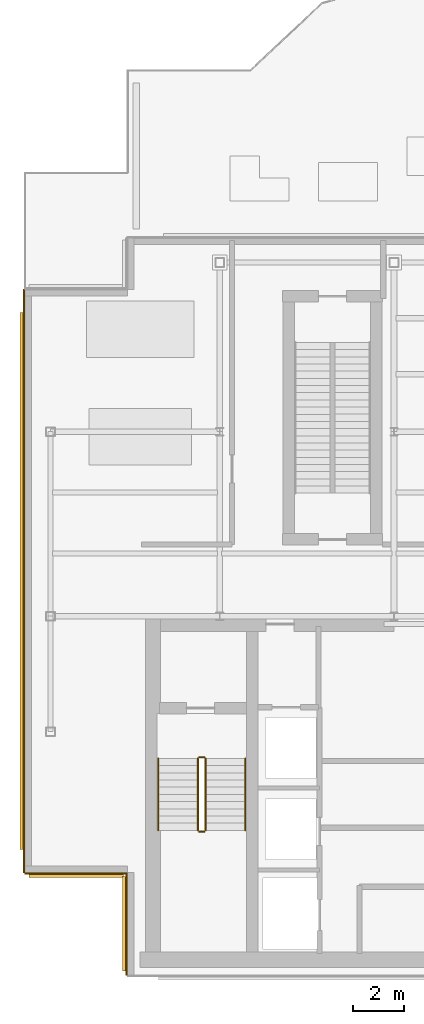
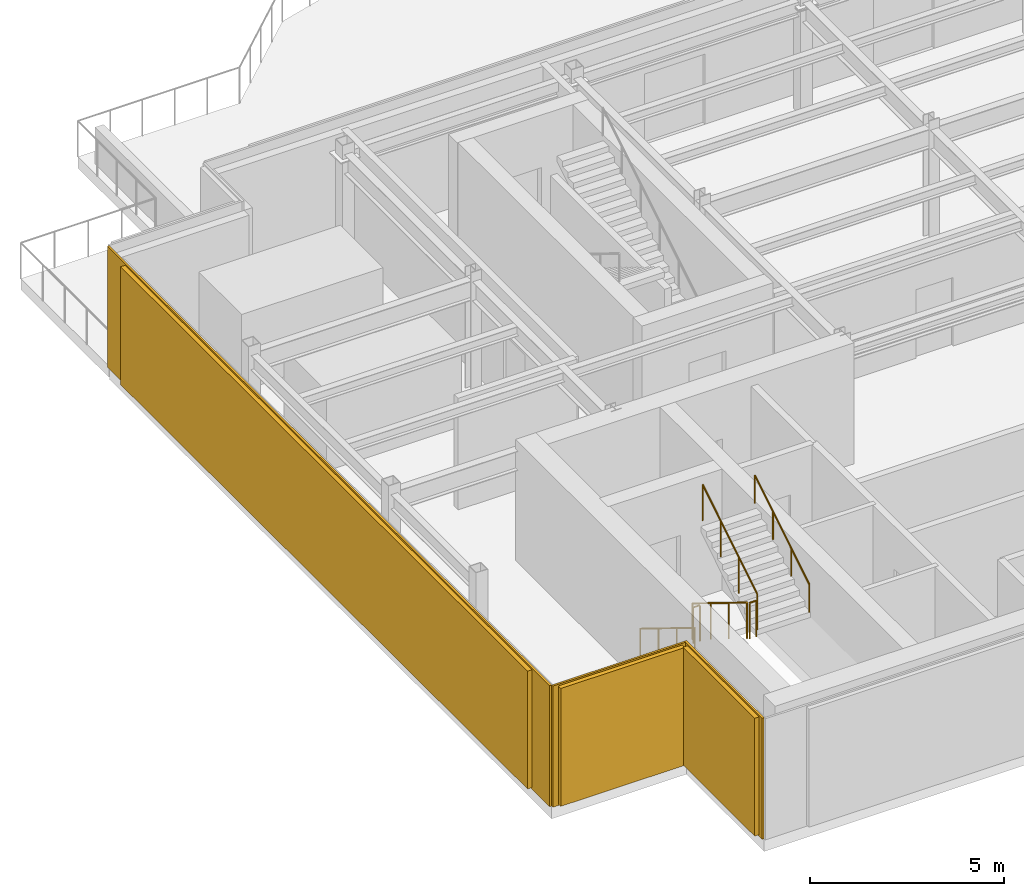
# One storey, part 6 of 9: 6 railings, 3 coverings, 3 shading devices.
"""IFC4 building model written with IfcOpenShell, lengths in metres."""

from ifc_helpers import new_model, si_unit, derived_unit, direction, frame, origin, origin_2d, place, context, subcontext, project, spatial, rectangle, circle, extrude, source, transform, mapped, material, layer, layer_set, type_object, element, save


model = new_model("IFC4")

# Units and contexts
model_context = context("Model", 3, precision=1e-05, world=origin(), true_north=direction((0.0, 1.0)))
body_context = subcontext(model_context, "Body", "Model", "MODEL_VIEW")
ifc_project = project(units=[si_unit("LENGTHUNIT", "METRE"), si_unit("AREAUNIT", "SQUARE_METRE"), si_unit("VOLUMEUNIT", "CUBIC_METRE"), si_unit("PLANEANGLEUNIT", "RADIAN"), si_unit("MASSUNIT", "GRAM", prefix="KILO"), derived_unit("THERMALTRANSMITTANCEUNIT", [(si_unit("POWERUNIT", "WATT"), 1), (si_unit("LENGTHUNIT", "METRE"), -2), (si_unit("THERMODYNAMICTEMPERATUREUNIT", "KELVIN"), -1)])], contexts=[model_context])

# Site, building, storey
site_placement = place(None, origin())
site = spatial("IfcSite", under=ifc_project, at=site_placement, CompositionType="ELEMENT")
building_placement = place(site_placement, origin())
building = spatial("IfcBuilding", under=site, at=building_placement, Name="Skarnbrae Concourse Arena and Tower", CompositionType="ELEMENT")
storey_placement = place(building_placement, frame((0.0, 0.0, 292.25)))
storey = spatial("IfcBuildingStorey", under=building, at=storey_placement, Name="L76", CompositionType="ELEMENT", Elevation=292.25)

# Railings
ifc_material_1 = material(Name="Steel CSA G40.21 350W", Category="steel")
railing_type_1 = type_object("IfcRailingType", Name="RAIL-HANDRAIL-900", PredefinedType="HANDRAIL", material=ifc_material_1)
railing_1_placement = place(storey_placement, frame((5.199951171875, 8.449951171875, 0.172607421875)))
element("IfcRailing", 1, at=railing_1_placement, inside=storey, type_object=railing_type_1, Name="L76 ST-1 stair handrail 1", PredefinedType="HANDRAIL", context=body_context, shape_type="SweptSolid", body=[
    extrude(circle(Radius=0.02392578125, at=origin_2d()), frame((0.0, 0.0, 0.8759765625), z_axis=(0.0, -0.851089632645, 0.525020415988), x_axis=(1.0, 0.0, 0.0)), (0.0, 0.0, 1.0), 3.2900390625),
    extrude(circle(Radius=0.02099609375, at=origin_2d()), origin(), (0.0, 0.0, 1.0), 0.851806640625),
    extrude(circle(Radius=0.02099609375, at=origin_2d()), frame((0.0, -0.933349609375, 0.57568359375)), (0.0, 0.0, 1.0), 0.851806640625),
    extrude(circle(Radius=0.02099609375, at=origin_2d()), frame((0.0, -1.86669921875, 1.151611328125)), (0.0, 0.0, 1.0), 0.851806640625),
    extrude(circle(Radius=0.02099609375, at=origin_2d()), frame((0.0, -2.800048828125, 1.727294921875)), (0.0, 0.0, 1.0), 0.851806640625),
])
railing_2_placement = place(storey_placement, frame((8.60009765625, 5.64990234375, 2.07275390625)))
element("IfcRailing", 2, at=railing_2_placement, inside=storey, type_object=railing_type_1, Name="L76 ST-1 stair handrail 2", PredefinedType="HANDRAIL", context=body_context, shape_type="SweptSolid", body=[
    extrude(circle(Radius=0.02392578125, at=origin_2d()), frame((0.0, 0.0, 0.8759765625), z_axis=(0.0, 0.851089632645, 0.525020415988), x_axis=(-1.0, 0.0, 0.0)), (0.0, 0.0, 1.0), 3.2900390625),
    extrude(circle(Radius=0.02099609375, at=origin_2d()), origin(), (0.0, 0.0, 1.0), 0.851806640625),
    extrude(circle(Radius=0.02099609375, at=origin_2d()), frame((0.0, 0.933349609375, 0.57568359375)), (0.0, 0.0, 1.0), 0.851806640625),
    extrude(circle(Radius=0.02099609375, at=origin_2d()), frame((0.0, 1.86669921875, 1.151611328125)), (0.0, 0.0, 1.0), 0.851806640625),
    extrude(circle(Radius=0.02099609375, at=origin_2d()), frame((0.0, 2.800048828125, 1.727294921875)), (0.0, 0.0, 1.0), 0.851806640625),
])
railing_type_2 = type_object("IfcRailingType", Name="RAIL-STAIR-GUARD-1150", PredefinedType="GUARDRAIL", material=ifc_material_1)
railing_3_placement = place(storey_placement, frame((6.75, 8.449951171875, 0.172607421875)))
element("IfcRailing", 3, at=railing_3_placement, inside=storey, type_object=railing_type_2, Name="L76 ST-1 stair guard 1", PredefinedType="GUARDRAIL", context=body_context, shape_type="SweptSolid", body=[
    extrude(circle(Radius=0.02392578125, at=origin_2d()), frame((0.0, 0.0, 1.1259765625), z_axis=(0.0, -0.851089632645, 0.525020415988), x_axis=(1.0, 0.0, 0.0)), (0.0, 0.0, 1.0), 3.2900390625),
    extrude(circle(Radius=0.02099609375, at=origin_2d()), origin(), (0.0, 0.0, 1.0), 1.101806640625),
    extrude(circle(Radius=0.02099609375, at=origin_2d()), frame((0.0, -0.933349609375, 0.57568359375)), (0.0, 0.0, 1.0), 1.101806640625),
    extrude(circle(Radius=0.02099609375, at=origin_2d()), frame((0.0, -1.86669921875, 1.151611328125)), (0.0, 0.0, 1.0), 1.101806640625),
    extrude(circle(Radius=0.02099609375, at=origin_2d()), frame((0.0, -2.800048828125, 1.727294921875)), (0.0, 0.0, 1.0), 1.101806640625),
])
railing_4_placement = place(storey_placement, frame((6.800048828125, 5.60009765625, 1.89990234375)))
element("IfcRailing", 4, at=railing_4_placement, inside=storey, type_object=railing_type_2, Name="L76 ST-1 stair guard 2", PredefinedType="GUARDRAIL", context=body_context, shape_type="SweptSolid", body=[
    extrude(circle(Radius=0.02392578125, at=origin_2d()), frame((0.0, 0.0, 1.1259765625), z_axis=(1.0, 0.0, 0.0), x_axis=(0.0, 1.0, 0.0)), (0.0, 0.0, 1.0), 0.199951171875),
    extrude(circle(Radius=0.02099609375, at=origin_2d()), origin(), (0.0, 0.0, 1.0), 1.101806640625),
    extrude(circle(Radius=0.02099609375, at=origin_2d()), frame((0.199951171875, 0.0, 0.0)), (0.0, 0.0, 1.0), 1.101806640625),
])
railing_5_placement = place(storey_placement, frame((7.050048828125, 5.64990234375, 2.07275390625)))
element("IfcRailing", 5, at=railing_5_placement, inside=storey, type_object=railing_type_2, Name="L76 ST-1 stair guard 3", PredefinedType="GUARDRAIL", context=body_context, shape_type="SweptSolid", body=[
    extrude(circle(Radius=0.02392578125, at=origin_2d()), frame((0.0, 0.0, 1.1259765625), z_axis=(0.0, 0.851089632645, 0.525020415988), x_axis=(-1.0, 0.0, 0.0)), (0.0, 0.0, 1.0), 3.2900390625),
    extrude(circle(Radius=0.02099609375, at=origin_2d()), origin(), (0.0, 0.0, 1.0), 1.101806640625),
    extrude(circle(Radius=0.02099609375, at=origin_2d()), frame((0.0, 0.933349609375, 0.57568359375)), (0.0, 0.0, 1.0), 1.101806640625),
    extrude(circle(Radius=0.02099609375, at=origin_2d()), frame((0.0, 1.86669921875, 1.151611328125)), (0.0, 0.0, 1.0), 1.101806640625),
    extrude(circle(Radius=0.02099609375, at=origin_2d()), frame((0.0, 2.800048828125, 1.727294921875)), (0.0, 0.0, 1.0), 1.101806640625),
])
railing_6_placement = place(storey_placement, frame((6.800048828125, 8.5, 0.0)))
element("IfcRailing", 6, at=railing_6_placement, inside=storey, type_object=railing_type_2, Name="L76 ST-1 stair guard 4", PredefinedType="GUARDRAIL", context=body_context, shape_type="SweptSolid", body=[
    extrude(circle(Radius=0.02392578125, at=origin_2d()), frame((0.0, 0.0, 1.1259765625), z_axis=(1.0, 0.0, 0.0), x_axis=(0.0, 1.0, 0.0)), (0.0, 0.0, 1.0), 0.199951171875),
    extrude(circle(Radius=0.02099609375, at=origin_2d()), origin(), (0.0, 0.0, 1.0), 1.101806640625),
    extrude(circle(Radius=0.02099609375, at=origin_2d()), frame((0.199951171875, 0.0, 0.0)), (0.0, 0.0, 1.0), 1.101806640625),
])

# Coverings
ifc_material_2 = material(Name="Bronze anodised aluminium 6063-T6", Category="aluminium")
ifc_layer = layer(ifc_material_2, 0.06005859375)
ifc_layer_set = layer_set([ifc_layer], Name="Bronze anodised aluminium 6063-T6")
covering_type = type_object("IfcCoveringType", Name="COV-CLAD-BRONZE-60", PredefinedType="CLADDING", material=ifc_layer_set)
shared_shape_1 = source(origin(), body_context, "Body", "SweptSolid", [
    extrude(rectangle(XDim=4.0, YDim=0.06005859375, at=origin_2d()), origin(), (0.0, 0.0, 1.0), 3.800048828125),
])
for number, where, z_axis, x_axis, name in (
    (7, (2.0, 3.969970703125, 0.0), (0.0, 0.0, 1.0), (1.0, 0.0, 0.0), "L76 Bronze crown rainscreen cladding 11"),
    (8, (3.969970703125, 2.0, 0.0), (0.0, 0.0, 1.0), (0.0, -1.0, 0.0), "L76 Bronze crown rainscreen cladding 12"),
):
    element("IfcCovering", number, at=place(storey_placement, frame(where, z_axis=z_axis, x_axis=x_axis)), inside=storey, type_object=covering_type, Name=name, PredefinedType="CLADDING", context=body_context, shape_type="MappedRepresentation", body=[
        mapped(shared_shape_1, transform((0.0, 0.0, 0.0))),
    ])

# Shading devices
shading_device_type = type_object("IfcShadingDeviceType", Name="SHD-BRONZE-LOUVRE-150", PredefinedType="USERDEFINED", material=ifc_material_2)
shared_shape_2 = source(origin(), body_context, "Body", "SweptSolid", [
    extrude(rectangle(XDim=3.679931640625, YDim=0.139892578125, at=origin_2d()), origin(), (0.0, 0.0, 1.0), 3.699951171875),
])
for number, where, z_axis, x_axis, name in (
    (9, (2.0, 3.8798828125, 0.0498046875), (0.0, 0.0, 1.0), (1.0, 0.0, 0.0), "L76 Crown bronze architectural louvre screen 11"),
    (10, (3.8798828125, 2.0, 0.0498046875), (0.0, 0.0, 1.0), (0.0, -1.0, 0.0), "L76 Crown bronze architectural louvre screen 12"),
):
    element("IfcShadingDevice", number, at=place(storey_placement, frame(where, z_axis=z_axis, x_axis=x_axis)), inside=storey, type_object=shading_device_type, Name=name, ObjectType="LOUVRE", PredefinedType="USERDEFINED", context=body_context, shape_type="MappedRepresentation", body=[
        mapped(shared_shape_2, transform((0.0, 0.0, 0.0))),
    ])

# Covering
shared_shape_3 = source(origin(), body_context, "Body", "SweptSolid", [
    extrude(rectangle(XDim=22.75, YDim=0.06005859375, at=origin_2d()), origin(), (0.0, 0.0, 1.0), 3.800048828125),
])
covering_placement = place(storey_placement, frame((-0.030029296875, 15.375, 0.0), z_axis=(0.0, 0.0, 1.0), x_axis=(0.0, -1.0, 0.0)))
element("IfcCovering", 11, at=covering_placement, inside=storey, type_object=covering_type, Name="L76 Bronze crown rainscreen cladding 10", PredefinedType="CLADDING", context=body_context, shape_type="MappedRepresentation", body=[
    mapped(shared_shape_3, transform((0.0, 0.0, 0.0))),
])

# Shading device
shared_shape_4 = source(origin(), body_context, "Body", "SweptSolid", [
    extrude(rectangle(XDim=20.929931640625, YDim=0.139892578125, at=origin_2d()), origin(), (0.0, 0.0, 1.0), 3.699951171875),
])
shading_device_placement = place(storey_placement, frame((-0.1201171875, 15.375, 0.0498046875), z_axis=(0.0, 0.0, 1.0), x_axis=(0.0, -1.0, 0.0)))
element("IfcShadingDevice", 12, at=shading_device_placement, inside=storey, type_object=shading_device_type, Name="L76 Crown bronze architectural louvre screen 10", ObjectType="LOUVRE", PredefinedType="USERDEFINED", context=body_context, shape_type="MappedRepresentation", body=[
    mapped(shared_shape_4, transform((0.0, 0.0, 0.0))),
])

save(model, "model.ifc")
